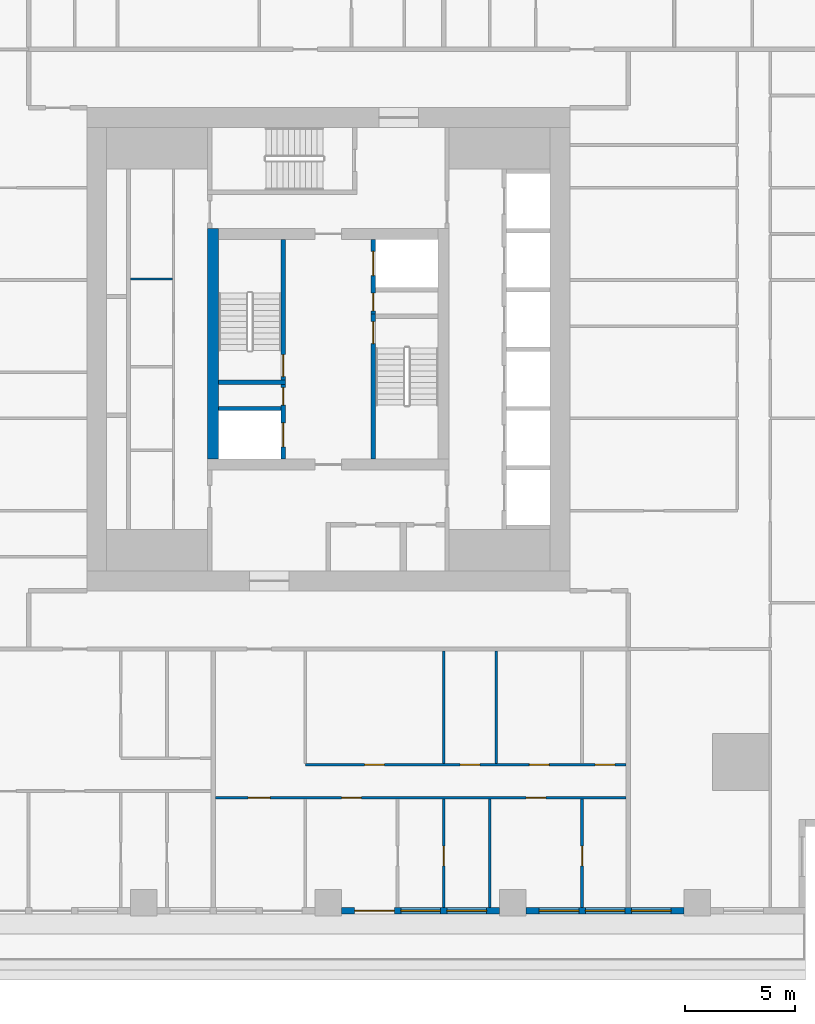
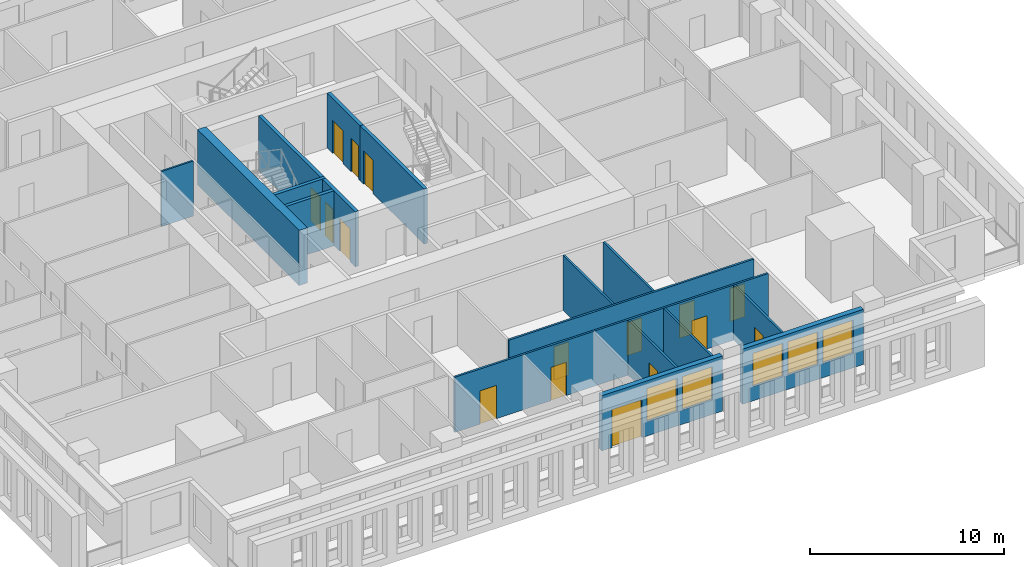
# One storey, part 4 of 15: 17 walls, 16 doors, 5 windows, 21 openings.
"""IFC4 building model written with IfcOpenShell, lengths in metres."""

from ifc_helpers import new_model, si_unit, direction, frame, frame_2d, origin, place, context, subcontext, project, spatial, rectangle, extrude, material, layer, layer_set, type_object, element, fill, save


model = new_model("IFC4")

# Units and contexts
model_context = context("Model", 3, precision=1e-05, world=origin(), true_north=direction((0.0, 1.0)))
body_context = subcontext(model_context, "Body", "Model", "MODEL_VIEW")
ifc_project = project(units=[si_unit("LENGTHUNIT", "METRE"), si_unit("AREAUNIT", "SQUARE_METRE"), si_unit("VOLUMEUNIT", "CUBIC_METRE"), si_unit("PLANEANGLEUNIT", "RADIAN"), si_unit("MASSUNIT", "GRAM", prefix="KILO")], contexts=[model_context])

# Site, building, storey
site_placement = place(None, origin())
site = spatial("IfcSite", under=ifc_project, at=site_placement, CompositionType="ELEMENT")
building_placement = place(site_placement, origin())
building = spatial("IfcBuilding", under=site, at=building_placement, Name="Khepri Terraces", CompositionType="ELEMENT")
storey_placement = place(building_placement, frame((0.0, 0.0, 161.10009765625)))
storey = spatial("IfcBuildingStorey", under=building, at=storey_placement, Name="L38", CompositionType="ELEMENT", Elevation=161.10009765625)

# Wall, opening, door
ifc_material_1 = material(Name="Concrete C60/75", Category="concrete")
ifc_layer_1 = layer(ifc_material_1, 0.199951171875, Name="Concrete C60/75", Category="concrete")
ifc_layer_set_1 = layer_set([ifc_layer_1], Name="Concrete C60/75")
wall_type_1 = type_object("IfcWallType", Name="Core wall 200 C60/75", PredefinedType="SHEAR", material=ifc_layer_set_1)
wall_1_placement = place(storey_placement, frame((2.050048828125, -5.0, 0.0), z_axis=(0.0, 0.0, 1.0), x_axis=(0.0, 1.0, 0.0)))
wall_1 = element("IfcWall", 1, at=wall_1_placement, inside=storey, type_object=wall_type_1, Name="Core wall ST01 L38", PredefinedType="SHEAR", context=body_context, shape_type="SweptSolid", body=[
    extrude(rectangle(XDim=6.60009765625, YDim=0.199951171875, at=frame_2d((3.300048828125, 0.0))), origin(), (0.0, 0.0, 1.0), 3.47998046875),
])
opening_1_placement = place(wall_1_placement, frame((5.25, 0.0, 0.0)))
opening_1 = element("IfcOpeningElement", 2, at=opening_1_placement, cuts=wall_1, Name="Opening L38-C10", PredefinedType="OPENING", context=body_context, shape_type="SweptSolid", body=[
    extrude(rectangle(XDim=1.0, YDim=2.10009765625, at=frame_2d((0.5, 1.050048828125))), frame((0.0, 0.10986328125, 0.0), z_axis=(0.0, -1.0, 0.0), x_axis=(1.0, 0.0, 0.0)), (0.0, 0.0, 1.0), 0.219970703125),
])
ifc_material_2 = material(Name="Painted steel", Category="steel")
door_type_1 = type_object("IfcDoorType", Name="DR-CORE-STAIR-1000", OperationType="NOTDEFINED", PredefinedType="DOOR", material=ifc_material_2)
door_1_placement = place(opening_1_placement, frame((1.0, 0.0, 0.0), z_axis=(0.0, 0.0, 1.0), x_axis=(-1.0, 0.0, 0.0)))
door_1 = element("IfcDoor", 3, at=door_1_placement, inside=storey, type_object=door_type_1, Name="Stair door L38-C10", OperationType="SINGLE_SWING_LEFT", OverallHeight=2.10009765625, OverallWidth=1.0, PredefinedType="DOOR", context=body_context, shape_type="SweptSolid", body=[
    extrude(rectangle(XDim=1.0, YDim=2.10009765625, at=frame_2d((0.5, 1.050048828125))), frame((0.0, 0.02490234375, 0.0), z_axis=(0.0, -1.0, 0.0), x_axis=(1.0, 0.0, 0.0)), (0.0, 0.0, 1.0), 0.050048828125),
])
fill(opening_1, door_1)

# Wall
wall_2_placement = place(storey_placement, frame((-5.0, -1.5, 0.0), z_axis=(0.0, 0.0, 1.0), x_axis=(1.0, 0.0, 0.0)))
element("IfcWall", 4, at=wall_2_placement, inside=storey, type_object=wall_type_1, Name="Core wall ST02 L38", PredefinedType="SHEAR", context=body_context, shape_type="SweptSolid", body=[
    extrude(rectangle(XDim=3.050048828125, YDim=0.199951171875, at=frame_2d((1.52490234375, 0.0))), origin(), (0.0, 0.0, 1.0), 3.47998046875),
])

# Wall, opening, door
wall_3_placement = place(storey_placement, frame((-2.050048828125, -1.39990234375, 0.0), z_axis=(0.0, 0.0, 1.0), x_axis=(0.0, 1.0, 0.0)))
wall_3 = element("IfcWall", 5, at=wall_3_placement, inside=storey, type_object=wall_type_1, Name="Core wall ST03 L38", PredefinedType="SHEAR", context=body_context, shape_type="SweptSolid", body=[
    extrude(rectangle(XDim=6.39990234375, YDim=0.199951171875, at=frame_2d((3.199951171875, 0.0))), origin(), (0.0, 0.0, 1.0), 3.47998046875),
])
opening_2_placement = place(wall_3_placement, frame((0.14990234375, 0.0, 0.0)))
opening_2 = element("IfcOpeningElement", 6, at=opening_2_placement, cuts=wall_3, Name="Opening L38-C09", PredefinedType="OPENING", context=body_context, shape_type="SweptSolid", body=[
    extrude(rectangle(XDim=1.0, YDim=2.10009765625, at=frame_2d((0.5, 1.050048828125))), frame((0.0, 0.10986328125, 0.0), z_axis=(0.0, -1.0, 0.0), x_axis=(1.0, 0.0, 0.0)), (0.0, 0.0, 1.0), 0.219970703125),
])
door_2_placement = place(opening_2_placement, origin())
door_2 = element("IfcDoor", 7, at=door_2_placement, inside=storey, type_object=door_type_1, Name="Stair door L38-C09", OperationType="SINGLE_SWING_LEFT", OverallHeight=2.10009765625, OverallWidth=1.0, PredefinedType="DOOR", context=body_context, shape_type="SweptSolid", body=[
    extrude(rectangle(XDim=1.0, YDim=2.10009765625, at=frame_2d((0.5, 1.050048828125))), frame((0.0, 0.02490234375, 0.0), z_axis=(0.0, -1.0, 0.0), x_axis=(1.0, 0.0, 0.0)), (0.0, 0.0, 1.0), 0.050048828125),
])
fill(opening_2, door_2)

# Wall, openings, doors
wall_4_placement = place(storey_placement, frame((-2.050048828125, -5.0, 0.0), z_axis=(0.0, 0.0, 1.0), x_axis=(0.0, 1.0, 0.0)))
wall_4 = element("IfcWall", 8, at=wall_4_placement, inside=storey, type_object=wall_type_1, Name="Core wall SH05 L38", PredefinedType="SHEAR", context=body_context, shape_type="SweptSolid", body=[
    extrude(rectangle(XDim=3.39990234375, YDim=0.199951171875, at=frame_2d((1.699951171875, 0.0))), origin(), (0.0, 0.0, 1.0), 3.47998046875),
])
opening_3_placement = place(wall_4_placement, frame((0.550048828125, 0.0, 0.0)))
opening_3 = element("IfcOpeningElement", 9, at=opening_3_placement, cuts=wall_4, Name="Opening L38-C08", PredefinedType="OPENING", context=body_context, shape_type="SweptSolid", body=[
    extrude(rectangle(XDim=1.10009765625, YDim=2.10009765625, at=frame_2d((0.550048828125, 1.050048828125))), frame((0.0, 0.10986328125, 0.0), z_axis=(0.0, -1.0, 0.0), x_axis=(1.0, 0.0, 0.0)), (0.0, 0.0, 1.0), 0.219970703125),
])
opening_4_placement = place(wall_4_placement, frame((2.449951171875, 0.0, 0.0)))
opening_4 = element("IfcOpeningElement", 10, at=opening_4_placement, cuts=wall_4, Name="Opening L38-C12", PredefinedType="OPENING", context=body_context, shape_type="SweptSolid", body=[
    extrude(rectangle(XDim=0.800048828125, YDim=2.10009765625, at=frame_2d((0.39990234375, 1.050048828125))), frame((0.0, 0.10986328125, 0.0), z_axis=(0.0, -1.0, 0.0), x_axis=(1.0, 0.0, 0.0)), (0.0, 0.0, 1.0), 0.219970703125),
])
ifc_material_3 = material(Name="Stainless steel 304", Category="steel")
door_type_2 = type_object("IfcDoorType", Name="DR-CORE-FF-LANDING-1100", OperationType="NOTDEFINED", PredefinedType="DOOR", material=ifc_material_3)
door_3_placement = place(opening_3_placement, origin())
door_3 = element("IfcDoor", 11, at=door_3_placement, inside=storey, type_object=door_type_2, Name="Firefighting lift landing door L38-C08", OperationType="SLIDING_TO_LEFT", OverallHeight=2.10009765625, OverallWidth=1.10009765625, PredefinedType="DOOR", context=body_context, shape_type="SweptSolid", body=[
    extrude(rectangle(XDim=1.10009765625, YDim=2.10009765625, at=frame_2d((0.550048828125, 1.050048828125))), frame((0.0, 0.02490234375, 0.0), z_axis=(0.0, -1.0, 0.0), x_axis=(1.0, 0.0, 0.0)), (0.0, 0.0, 1.0), 0.050048828125),
])
fill(opening_3, door_3)
door_type_3 = type_object("IfcDoorType", Name="DR-CORE-RISER-800", OperationType="NOTDEFINED", PredefinedType="DOOR", material=ifc_material_2)
door_4_placement = place(opening_4_placement, origin())
door_4 = element("IfcDoor", 12, at=door_4_placement, inside=storey, type_object=door_type_3, Name="Riser door L38-C12", OperationType="SINGLE_SWING_RIGHT", OverallHeight=2.10009765625, OverallWidth=0.800048828125, PredefinedType="DOOR", context=body_context, shape_type="SweptSolid", body=[
    extrude(rectangle(XDim=0.800048828125, YDim=2.10009765625, at=frame_2d((0.39990234375, 1.050048828125))), frame((0.0, 0.02490234375, 0.0), z_axis=(0.0, -1.0, 0.0), x_axis=(1.0, 0.0, 0.0)), (0.0, 0.0, 1.0), 0.050048828125),
])
fill(opening_4, door_4)

# Wall
wall_5_placement = place(storey_placement, frame((-5.0, -2.699951171875, 0.0), z_axis=(0.0, 0.0, 1.0), x_axis=(1.0, 0.0, 0.0)))
element("IfcWall", 13, at=wall_5_placement, inside=storey, type_object=wall_type_1, Name="Core wall SH07 L38", PredefinedType="SHEAR", context=body_context, shape_type="SweptSolid", body=[
    extrude(rectangle(XDim=2.85009765625, YDim=0.199951171875, at=frame_2d((1.425048828125, 0.0))), origin(), (0.0, 0.0, 1.0), 3.47998046875),
])

# Wall, openings, doors
wall_6_placement = place(storey_placement, frame((2.050048828125, 1.60009765625, 0.0), z_axis=(0.0, 0.0, 1.0), x_axis=(0.0, 1.0, 0.0)))
wall_6 = element("IfcWall", 14, at=wall_6_placement, inside=storey, type_object=wall_type_1, Name="Core wall SH10 L38", PredefinedType="SHEAR", context=body_context, shape_type="SweptSolid", body=[
    extrude(rectangle(XDim=3.39990234375, YDim=0.199951171875, at=frame_2d((1.699951171875, 0.0))), origin(), (0.0, 0.0, 1.0), 3.47998046875),
])
opening_5_placement = place(wall_6_placement, frame((1.75, 0.0, 0.0)))
opening_5 = element("IfcOpeningElement", 15, at=opening_5_placement, cuts=wall_6, Name="Opening L38-C07", PredefinedType="OPENING", context=body_context, shape_type="SweptSolid", body=[
    extrude(rectangle(XDim=1.10009765625, YDim=2.10009765625, at=frame_2d((0.550048828125, 1.050048828125))), frame((0.0, 0.10986328125, 0.0), z_axis=(0.0, -1.0, 0.0), x_axis=(1.0, 0.0, 0.0)), (0.0, 0.0, 1.0), 0.219970703125),
])
opening_6_placement = place(wall_6_placement, frame((0.14990234375, 0.0, 0.0)))
opening_6 = element("IfcOpeningElement", 16, at=opening_6_placement, cuts=wall_6, Name="Opening L38-C11", PredefinedType="OPENING", context=body_context, shape_type="SweptSolid", body=[
    extrude(rectangle(XDim=0.800048828125, YDim=2.10009765625, at=frame_2d((0.39990234375, 1.050048828125))), frame((0.0, 0.10986328125, 0.0), z_axis=(0.0, -1.0, 0.0), x_axis=(1.0, 0.0, 0.0)), (0.0, 0.0, 1.0), 0.219970703125),
])
door_5_placement = place(opening_5_placement, origin())
door_5 = element("IfcDoor", 17, at=door_5_placement, inside=storey, type_object=door_type_2, Name="Firefighting lift landing door L38-C07", OperationType="SLIDING_TO_LEFT", OverallHeight=2.10009765625, OverallWidth=1.10009765625, PredefinedType="DOOR", context=body_context, shape_type="SweptSolid", body=[
    extrude(rectangle(XDim=1.10009765625, YDim=2.10009765625, at=frame_2d((0.550048828125, 1.050048828125))), frame((0.0, 0.02490234375, 0.0), z_axis=(0.0, -1.0, 0.0), x_axis=(1.0, 0.0, 0.0)), (0.0, 0.0, 1.0), 0.050048828125),
])
fill(opening_5, door_5)
door_6_placement = place(opening_6_placement, frame((0.800048828125, 0.0, 0.0), z_axis=(0.0, 0.0, 1.0), x_axis=(-1.0, 0.0, 0.0)))
door_6 = element("IfcDoor", 18, at=door_6_placement, inside=storey, type_object=door_type_3, Name="Riser door L38-C11", OperationType="SINGLE_SWING_RIGHT", OverallHeight=2.10009765625, OverallWidth=0.800048828125, PredefinedType="DOOR", context=body_context, shape_type="SweptSolid", body=[
    extrude(rectangle(XDim=0.800048828125, YDim=2.10009765625, at=frame_2d((0.39990234375, 1.050048828125))), frame((0.0, 0.02490234375, 0.0), z_axis=(0.0, -1.0, 0.0), x_axis=(1.0, 0.0, 0.0)), (0.0, 0.0, 1.0), 0.050048828125),
])
fill(opening_6, door_6)

# Walls
ifc_layer_2 = layer(ifc_material_1, 0.5, Name="Concrete C60/75", Category="concrete")
ifc_layer_set_2 = layer_set([ifc_layer_2], Name="Concrete C60/75")
wall_type_2 = type_object("IfcWallType", Name="Core wall 500 C60/75", PredefinedType="SHEAR", material=ifc_layer_set_2)
wall_7_placement = place(storey_placement, frame((-5.25, -5.0, 0.0), z_axis=(0.0, 0.0, 1.0), x_axis=(0.0, 1.0, 0.0)))
element("IfcWall", 19, at=wall_7_placement, inside=storey, type_object=wall_type_2, Name="Core wall BX02 L38", PredefinedType="SHEAR", context=body_context, shape_type="SweptSolid", body=[
    extrude(rectangle(XDim=10.5, YDim=0.5, at=frame_2d((5.25, 0.0))), origin(), (0.0, 0.0, 1.0), 3.47998046875),
])
ifc_material_4 = material(Name="Fire-rated gypsum board partition")
ifc_layer_3 = layer(ifc_material_4, 0.10009765625, Name="Fire-rated gypsum board partition")
ifc_layer_set_3 = layer_set([ifc_layer_3], Name="Fire-rated gypsum board partition")
wall_type_3 = type_object("IfcWallType", Name="WL-CORE-PART-100", PredefinedType="PARTITIONING", material=ifc_layer_set_3)
wall_8_placement = place(storey_placement, frame((-9.0, 3.199951171875, 0.0), z_axis=(0.0, 0.0, 1.0), x_axis=(1.0, 0.0, 0.0)))
element("IfcWall", 20, at=wall_8_placement, inside=storey, type_object=wall_type_3, Name="Core partition PT10 L38", PredefinedType="PARTITIONING", context=body_context, shape_type="SweptSolid", body=[
    extrude(rectangle(XDim=1.89990234375, YDim=0.10009765625, at=frame_2d((0.949951171875, 0.0))), origin(), (0.0, 0.0, 1.0), 3.47998046875),
])

# Wall, openings, door, windows
ifc_material_5 = material(Name="Precast concrete C50/60 warm stone", Category="masonry")
ifc_layer_4 = layer(ifc_material_5, 0.300048828125, Name="Precast concrete C50/60 warm stone", Category="masonry")
ifc_layer_set_4 = layer_set([ifc_layer_4], Name="Precast concrete C50/60 warm stone")
wall_type_4 = type_object("IfcWallType", Name="WL-EXT-PRECAST-300", PredefinedType="STANDARD", material=ifc_layer_set_4)
wall_9_placement = place(storey_placement, frame((0.60009765625, -25.570068359375, 0.0), z_axis=(0.0, 0.0, 1.0), x_axis=(1.0, 0.0, 0.0)))
wall_9 = element("IfcWall", 21, at=wall_9_placement, inside=storey, type_object=wall_type_4, Name="External wall L38 S", PredefinedType="STANDARD", context=body_context, shape_type="SweptSolid", body=[
    extrude(rectangle(XDim=7.199951171875, YDim=0.300048828125, at=frame_2d((3.60009765625, 0.0))), origin(), (0.0, 0.0, 1.0), 3.47998046875),
])
opening_7_placement = place(wall_9_placement, frame((0.60009765625, 0.0, 0.0)))
opening_7 = element("IfcOpeningElement", 22, at=opening_7_placement, cuts=wall_9, Name="Opening ED-L38-22", PredefinedType="OPENING", context=body_context, shape_type="SweptSolid", body=[
    extrude(rectangle(XDim=1.800048828125, YDim=2.39990234375, at=frame_2d((0.89990234375, 1.199951171875))), frame((0.0, 0.16015625, 0.0), z_axis=(0.0, -1.0, 0.0), x_axis=(1.0, 0.0, 0.0)), (0.0, 0.0, 1.0), 0.320068359375),
])
opening_8_placement = place(wall_9_placement, frame((2.699951171875, 0.0, 0.89990234375)))
opening_8 = element("IfcOpeningElement", 23, at=opening_8_placement, cuts=wall_9, Name="Opening W1", PredefinedType="OPENING", context=body_context, shape_type="SweptSolid", body=[
    extrude(rectangle(XDim=1.800048828125, YDim=2.10009765625, at=frame_2d((0.89990234375, 1.050048828125))), frame((0.0, 0.16015625, 0.0), z_axis=(0.0, -1.0, 0.0), x_axis=(1.0, 0.0, 0.0)), (0.0, 0.0, 1.0), 0.320068359375),
])
opening_9_placement = place(wall_9_placement, frame((4.800048828125, 0.0, 0.89990234375)))
opening_9 = element("IfcOpeningElement", 24, at=opening_9_placement, cuts=wall_9, Name="Opening W1", PredefinedType="OPENING", context=body_context, shape_type="SweptSolid", body=[
    extrude(rectangle(XDim=1.800048828125, YDim=2.10009765625, at=frame_2d((0.89990234375, 1.050048828125))), frame((0.0, 0.16015625, 0.0), z_axis=(0.0, -1.0, 0.0), x_axis=(1.0, 0.0, 0.0)), (0.0, 0.0, 1.0), 0.320068359375),
])
ifc_material_6 = material(Name="Anodised aluminium bronze glazed door", Category="aluminium")
door_type_4 = type_object("IfcDoorType", Name="DR-BAL-SLIDE-1800x2400", OperationType="NOTDEFINED", PredefinedType="DOOR", material=ifc_material_6)
door_7_placement = place(opening_7_placement, origin())
door_7 = element("IfcDoor", 25, at=door_7_placement, inside=storey, type_object=door_type_4, Name="Balcony door L38 S", OperationType="SLIDING_TO_LEFT", OverallHeight=2.39990234375, OverallWidth=1.800048828125, PredefinedType="DOOR", context=body_context, shape_type="SweptSolid", body=[
    extrude(rectangle(XDim=1.800048828125, YDim=2.39990234375, at=frame_2d((0.89990234375, 1.199951171875))), frame((0.0, 0.02490234375, 0.0), z_axis=(0.0, -1.0, 0.0), x_axis=(1.0, 0.0, 0.0)), (0.0, 0.0, 1.0), 0.050048828125),
])
fill(opening_7, door_7)
ifc_material_7 = material(Name="Clear glass", Category="glass")
window_type = type_object("IfcWindowType", Name="WIN-RES-1800x2100", PartitioningType="SINGLE_PANEL", PredefinedType="WINDOW", material=ifc_material_7)
window_1_placement = place(opening_8_placement, origin())
window_1 = element("IfcWindow", 26, at=window_1_placement, inside=storey, type_object=window_type, Name="Window L38 S", OverallHeight=2.10009765625, OverallWidth=1.800048828125, PartitioningType="SINGLE_PANEL", PredefinedType="WINDOW", context=body_context, shape_type="SweptSolid", body=[
    extrude(rectangle(XDim=1.800048828125, YDim=2.10009765625, at=frame_2d((0.89990234375, 1.050048828125))), frame((0.0, 0.030029296875, 0.0), z_axis=(0.0, -1.0, 0.0), x_axis=(1.0, 0.0, 0.0)), (0.0, 0.0, 1.0), 0.06005859375),
])
fill(opening_8, window_1)
window_2_placement = place(opening_9_placement, origin())
window_2 = element("IfcWindow", 27, at=window_2_placement, inside=storey, type_object=window_type, Name="Window L38 S", OverallHeight=2.10009765625, OverallWidth=1.800048828125, PartitioningType="SINGLE_PANEL", PredefinedType="WINDOW", context=body_context, shape_type="SweptSolid", body=[
    extrude(rectangle(XDim=1.800048828125, YDim=2.10009765625, at=frame_2d((0.89990234375, 1.050048828125))), frame((0.0, 0.030029296875, 0.0), z_axis=(0.0, -1.0, 0.0), x_axis=(1.0, 0.0, 0.0)), (0.0, 0.0, 1.0), 0.06005859375),
])
fill(opening_9, window_2)

# Wall, openings, windows
wall_10_placement = place(storey_placement, frame((9.0, -25.570068359375, 0.0), z_axis=(0.0, 0.0, 1.0), x_axis=(1.0, 0.0, 0.0)))
wall_10 = element("IfcWall", 28, at=wall_10_placement, inside=storey, type_object=wall_type_4, Name="External wall L38 S", PredefinedType="STANDARD", context=body_context, shape_type="SweptSolid", body=[
    extrude(rectangle(XDim=7.199951171875, YDim=0.300048828125, at=frame_2d((3.60009765625, 0.0))), origin(), (0.0, 0.0, 1.0), 3.47998046875),
])
opening_10_placement = place(wall_10_placement, frame((0.60009765625, 0.0, 0.89990234375)))
opening_10 = element("IfcOpeningElement", 29, at=opening_10_placement, cuts=wall_10, Name="Opening W1", PredefinedType="OPENING", context=body_context, shape_type="SweptSolid", body=[
    extrude(rectangle(XDim=1.800048828125, YDim=2.10009765625, at=frame_2d((0.89990234375, 1.050048828125))), frame((0.0, 0.16015625, 0.0), z_axis=(0.0, -1.0, 0.0), x_axis=(1.0, 0.0, 0.0)), (0.0, 0.0, 1.0), 0.320068359375),
])
opening_11_placement = place(wall_10_placement, frame((2.699951171875, 0.0, 0.89990234375)))
opening_11 = element("IfcOpeningElement", 30, at=opening_11_placement, cuts=wall_10, Name="Opening W1", PredefinedType="OPENING", context=body_context, shape_type="SweptSolid", body=[
    extrude(rectangle(XDim=1.800048828125, YDim=2.10009765625, at=frame_2d((0.89990234375, 1.050048828125))), frame((0.0, 0.16015625, 0.0), z_axis=(0.0, -1.0, 0.0), x_axis=(1.0, 0.0, 0.0)), (0.0, 0.0, 1.0), 0.320068359375),
])
opening_12_placement = place(wall_10_placement, frame((4.800048828125, 0.0, 0.89990234375)))
opening_12 = element("IfcOpeningElement", 31, at=opening_12_placement, cuts=wall_10, Name="Opening W1", PredefinedType="OPENING", context=body_context, shape_type="SweptSolid", body=[
    extrude(rectangle(XDim=1.800048828125, YDim=2.10009765625, at=frame_2d((0.89990234375, 1.050048828125))), frame((0.0, 0.16015625, 0.0), z_axis=(0.0, -1.0, 0.0), x_axis=(1.0, 0.0, 0.0)), (0.0, 0.0, 1.0), 0.320068359375),
])
window_3_placement = place(opening_10_placement, origin())
window_3 = element("IfcWindow", 32, at=window_3_placement, inside=storey, type_object=window_type, Name="Window L38 S", OverallHeight=2.10009765625, OverallWidth=1.800048828125, PartitioningType="SINGLE_PANEL", PredefinedType="WINDOW", context=body_context, shape_type="SweptSolid", body=[
    extrude(rectangle(XDim=1.800048828125, YDim=2.10009765625, at=frame_2d((0.89990234375, 1.050048828125))), frame((0.0, 0.030029296875, 0.0), z_axis=(0.0, -1.0, 0.0), x_axis=(1.0, 0.0, 0.0)), (0.0, 0.0, 1.0), 0.06005859375),
])
fill(opening_10, window_3)
window_4_placement = place(opening_11_placement, origin())
window_4 = element("IfcWindow", 33, at=window_4_placement, inside=storey, type_object=window_type, Name="Window L38 S", OverallHeight=2.10009765625, OverallWidth=1.800048828125, PartitioningType="SINGLE_PANEL", PredefinedType="WINDOW", context=body_context, shape_type="SweptSolid", body=[
    extrude(rectangle(XDim=1.800048828125, YDim=2.10009765625, at=frame_2d((0.89990234375, 1.050048828125))), frame((0.0, 0.030029296875, 0.0), z_axis=(0.0, -1.0, 0.0), x_axis=(1.0, 0.0, 0.0)), (0.0, 0.0, 1.0), 0.06005859375),
])
fill(opening_11, window_4)
window_5_placement = place(opening_12_placement, origin())
window_5 = element("IfcWindow", 34, at=window_5_placement, inside=storey, type_object=window_type, Name="Window L38 S", OverallHeight=2.10009765625, OverallWidth=1.800048828125, PartitioningType="SINGLE_PANEL", PredefinedType="WINDOW", context=body_context, shape_type="SweptSolid", body=[
    extrude(rectangle(XDim=1.800048828125, YDim=2.10009765625, at=frame_2d((0.89990234375, 1.050048828125))), frame((0.0, 0.030029296875, 0.0), z_axis=(0.0, -1.0, 0.0), x_axis=(1.0, 0.0, 0.0)), (0.0, 0.0, 1.0), 0.06005859375),
])
fill(opening_12, window_5)

# Wall, opening, door
ifc_material_8 = material(Name="Gypsum plasterboard partition")
ifc_layer_5 = layer(ifc_material_8, 0.1201171875, Name="Gypsum plasterboard partition")
ifc_layer_set_5 = layer_set([ifc_layer_5], Name="Gypsum plasterboard partition")
wall_type_5 = type_object("IfcWallType", Name="WL-PART-120", PredefinedType="PARTITIONING", material=ifc_layer_set_5)
wall_11_placement = place(storey_placement, frame((5.25, -25.419921875, 0.0), z_axis=(0.0, 0.0, 1.0), x_axis=(0.0, 1.0, 0.0)))
wall_11 = element("IfcWall", 35, at=wall_11_placement, inside=storey, type_object=wall_type_5, Name="Partition P-007 L38", PredefinedType="PARTITIONING", context=body_context, shape_type="SweptSolid", body=[
    extrude(rectangle(XDim=4.93994140625, YDim=0.1201171875, at=frame_2d((2.469970703125, 0.0))), origin(), (0.0, 0.0, 1.0), 3.47998046875),
])
opening_13_placement = place(wall_11_placement, frame((1.89990234375, 0.0, 0.0)))
opening_13 = element("IfcOpeningElement", 36, at=opening_13_placement, cuts=wall_11, Name="Opening D4", PredefinedType="OPENING", context=body_context, shape_type="SweptSolid", body=[
    extrude(rectangle(XDim=0.89990234375, YDim=2.10009765625, at=frame_2d((0.449951171875, 1.050048828125))), frame((0.0, 0.070068359375, 0.0), z_axis=(0.0, -1.0, 0.0), x_axis=(1.0, 0.0, 0.0)), (0.0, 0.0, 1.0), 0.14013671875),
])
ifc_material_9 = material(Name="Timber door leaf, moisture resistant", Category="wood")
door_type_5 = type_object("IfcDoorType", Name="DR-WET-900", OperationType="NOTDEFINED", PredefinedType="DOOR", material=ifc_material_9)
door_8_placement = place(opening_13_placement, frame((0.89990234375, 0.0, 0.0), z_axis=(0.0, 0.0, 1.0), x_axis=(-1.0, 0.0, 0.0)))
door_8 = element("IfcDoor", 37, at=door_8_placement, inside=storey, type_object=door_type_5, Name="Door Bathroom", OperationType="SINGLE_SWING_RIGHT", OverallHeight=2.10009765625, OverallWidth=0.89990234375, PredefinedType="DOOR", context=body_context, shape_type="SweptSolid", body=[
    extrude(rectangle(XDim=0.89990234375, YDim=2.10009765625, at=frame_2d((0.449951171875, 1.050048828125))), frame((0.0, 0.02490234375, 0.0), z_axis=(0.0, -1.0, 0.0), x_axis=(1.0, 0.0, 0.0)), (0.0, 0.0, 1.0), 0.050048828125),
])
fill(opening_13, door_8)

# Wall
wall_12_placement = place(storey_placement, frame((7.35009765625, -25.419921875, 0.0), z_axis=(0.0, 0.0, 1.0), x_axis=(0.0, 1.0, 0.0)))
element("IfcWall", 38, at=wall_12_placement, inside=storey, type_object=wall_type_5, Name="Partition P-008 L38", PredefinedType="PARTITIONING", context=body_context, shape_type="SweptSolid", body=[
    extrude(rectangle(XDim=4.93994140625, YDim=0.1201171875, at=frame_2d((2.469970703125, 0.0))), origin(), (0.0, 0.0, 1.0), 3.47998046875),
])

# Wall, opening, door
wall_13_placement = place(storey_placement, frame((11.550048828125, -25.419921875, 0.0), z_axis=(0.0, 0.0, 1.0), x_axis=(0.0, 1.0, 0.0)))
wall_13 = element("IfcWall", 39, at=wall_13_placement, inside=storey, type_object=wall_type_5, Name="Partition P-009 L38", PredefinedType="PARTITIONING", context=body_context, shape_type="SweptSolid", body=[
    extrude(rectangle(XDim=4.93994140625, YDim=0.1201171875, at=frame_2d((2.469970703125, 0.0))), origin(), (0.0, 0.0, 1.0), 3.47998046875),
])
opening_14_placement = place(wall_13_placement, frame((1.89990234375, 0.0, 0.0)))
opening_14 = element("IfcOpeningElement", 40, at=opening_14_placement, cuts=wall_13, Name="Opening D4", PredefinedType="OPENING", context=body_context, shape_type="SweptSolid", body=[
    extrude(rectangle(XDim=0.89990234375, YDim=2.10009765625, at=frame_2d((0.449951171875, 1.050048828125))), frame((0.0, 0.070068359375, 0.0), z_axis=(0.0, -1.0, 0.0), x_axis=(1.0, 0.0, 0.0)), (0.0, 0.0, 1.0), 0.14013671875),
])
door_9_placement = place(opening_14_placement, frame((0.89990234375, 0.0, 0.0), z_axis=(0.0, 0.0, 1.0), x_axis=(-1.0, 0.0, 0.0)))
door_9 = element("IfcDoor", 41, at=door_9_placement, inside=storey, type_object=door_type_5, Name="Door Bathroom", OperationType="SINGLE_SWING_RIGHT", OverallHeight=2.10009765625, OverallWidth=0.89990234375, PredefinedType="DOOR", context=body_context, shape_type="SweptSolid", body=[
    extrude(rectangle(XDim=0.89990234375, YDim=2.10009765625, at=frame_2d((0.449951171875, 1.050048828125))), frame((0.0, 0.02490234375, 0.0), z_axis=(0.0, -1.0, 0.0), x_axis=(1.0, 0.0, 0.0)), (0.0, 0.0, 1.0), 0.050048828125),
])
fill(opening_14, door_9)

# Wall, openings, doors
wall_14_placement = place(storey_placement, frame((-5.14990234375, -20.419921875, 0.0), z_axis=(0.0, 0.0, 1.0), x_axis=(1.0, 0.0, 0.0)))
wall_14 = element("IfcWall", 42, at=wall_14_placement, inside=storey, type_object=wall_type_5, Name="Partition P-012 L38", PredefinedType="PARTITIONING", context=body_context, shape_type="SweptSolid", body=[
    extrude(rectangle(XDim=18.699951171875, YDim=0.1201171875, at=frame_2d((9.35009765625, 0.0))), origin(), (0.0, 0.0, 1.0), 3.47998046875),
])
opening_15_placement = place(wall_14_placement, frame((1.5, 0.0, 0.0)))
opening_15 = element("IfcOpeningElement", 43, at=opening_15_placement, cuts=wall_14, Name="Opening D2", PredefinedType="OPENING", context=body_context, shape_type="SweptSolid", body=[
    extrude(rectangle(XDim=1.0, YDim=2.10009765625, at=frame_2d((0.5, 1.050048828125))), frame((0.0, 0.070068359375, 0.0), z_axis=(0.0, -1.0, 0.0), x_axis=(1.0, 0.0, 0.0)), (0.0, 0.0, 1.0), 0.14013671875),
])
opening_16_placement = place(wall_14_placement, frame((5.75, 0.0, 0.0)))
opening_16 = element("IfcOpeningElement", 44, at=opening_16_placement, cuts=wall_14, Name="Opening D3", PredefinedType="OPENING", context=body_context, shape_type="SweptSolid", body=[
    extrude(rectangle(XDim=0.89990234375, YDim=2.10009765625, at=frame_2d((0.449951171875, 1.050048828125))), frame((0.0, 0.070068359375, 0.0), z_axis=(0.0, -1.0, 0.0), x_axis=(1.0, 0.0, 0.0)), (0.0, 0.0, 1.0), 0.14013671875),
])
opening_17_placement = place(wall_14_placement, frame((14.14990234375, 0.0, 0.0)))
opening_17 = element("IfcOpeningElement", 45, at=opening_17_placement, cuts=wall_14, Name="Opening D3", PredefinedType="OPENING", context=body_context, shape_type="SweptSolid", body=[
    extrude(rectangle(XDim=0.89990234375, YDim=2.10009765625, at=frame_2d((0.449951171875, 1.050048828125))), frame((0.0, 0.070068359375, 0.0), z_axis=(0.0, -1.0, 0.0), x_axis=(1.0, 0.0, 0.0)), (0.0, 0.0, 1.0), 0.14013671875),
])
ifc_material_10 = material(Name="Timber door leaf, living room door", Category="wood")
door_type_6 = type_object("IfcDoorType", Name="DR-INT-1000", OperationType="NOTDEFINED", PredefinedType="DOOR", material=ifc_material_10)
door_10_placement = place(opening_15_placement, frame((1.0, 0.0, 0.0), z_axis=(0.0, 0.0, 1.0), x_axis=(-1.0, 0.0, 0.0)))
door_10 = element("IfcDoor", 46, at=door_10_placement, inside=storey, type_object=door_type_6, Name="Door Living Room", OperationType="SINGLE_SWING_RIGHT", OverallHeight=2.10009765625, OverallWidth=1.0, PredefinedType="DOOR", context=body_context, shape_type="SweptSolid", body=[
    extrude(rectangle(XDim=1.0, YDim=2.10009765625, at=frame_2d((0.5, 1.050048828125))), frame((0.0, 0.02490234375, 0.0), z_axis=(0.0, -1.0, 0.0), x_axis=(1.0, 0.0, 0.0)), (0.0, 0.0, 1.0), 0.050048828125),
])
fill(opening_15, door_10)
ifc_material_11 = material(Name="Timber door leaf", Category="wood")
door_type_7 = type_object("IfcDoorType", Name="DR-INT-900", OperationType="NOTDEFINED", PredefinedType="DOOR", material=ifc_material_11)
door_11_placement = place(opening_16_placement, frame((0.89990234375, 0.0, 0.0), z_axis=(0.0, 0.0, 1.0), x_axis=(-1.0, 0.0, 0.0)))
door_11 = element("IfcDoor", 47, at=door_11_placement, inside=storey, type_object=door_type_7, Name="Door Master Bedroom", OperationType="SINGLE_SWING_RIGHT", OverallHeight=2.10009765625, OverallWidth=0.89990234375, PredefinedType="DOOR", context=body_context, shape_type="SweptSolid", body=[
    extrude(rectangle(XDim=0.89990234375, YDim=2.10009765625, at=frame_2d((0.449951171875, 1.050048828125))), frame((0.0, 0.02490234375, 0.0), z_axis=(0.0, -1.0, 0.0), x_axis=(1.0, 0.0, 0.0)), (0.0, 0.0, 1.0), 0.050048828125),
])
fill(opening_16, door_11)
door_12_placement = place(opening_17_placement, frame((0.89990234375, 0.0, 0.0), z_axis=(0.0, 0.0, 1.0), x_axis=(-1.0, 0.0, 0.0)))
door_12 = element("IfcDoor", 48, at=door_12_placement, inside=storey, type_object=door_type_7, Name="Door Bedroom", OperationType="SINGLE_SWING_LEFT", OverallHeight=2.10009765625, OverallWidth=0.89990234375, PredefinedType="DOOR", context=body_context, shape_type="SweptSolid", body=[
    extrude(rectangle(XDim=0.89990234375, YDim=2.10009765625, at=frame_2d((0.449951171875, 1.050048828125))), frame((0.0, 0.02490234375, 0.0), z_axis=(0.0, -1.0, 0.0), x_axis=(1.0, 0.0, 0.0)), (0.0, 0.0, 1.0), 0.050048828125),
])
fill(opening_17, door_12)

wall_15_placement = place(storey_placement, frame((-1.050048828125, -18.919921875, 0.0), z_axis=(0.0, 0.0, 1.0), x_axis=(1.0, 0.0, 0.0)))
wall_15 = element("IfcWall", 49, at=wall_15_placement, inside=storey, type_object=wall_type_5, Name="Partition P-015 L38", PredefinedType="PARTITIONING", context=body_context, shape_type="SweptSolid", body=[
    extrude(rectangle(XDim=14.60009765625, YDim=0.1201171875, at=frame_2d((7.300048828125, 0.0))), origin(), (0.0, 0.0, 1.0), 3.47998046875),
])
opening_18_placement = place(wall_15_placement, frame((2.699951171875, 0.0, 0.0)))
opening_18 = element("IfcOpeningElement", 50, at=opening_18_placement, cuts=wall_15, Name="Opening D3", PredefinedType="OPENING", context=body_context, shape_type="SweptSolid", body=[
    extrude(rectangle(XDim=0.89990234375, YDim=2.10009765625, at=frame_2d((0.449951171875, 1.050048828125))), frame((0.0, 0.070068359375, 0.0), z_axis=(0.0, -1.0, 0.0), x_axis=(1.0, 0.0, 0.0)), (0.0, 0.0, 1.0), 0.14013671875),
])
opening_19_placement = place(wall_15_placement, frame((7.050048828125, 0.0, 0.0)))
opening_19 = element("IfcOpeningElement", 51, at=opening_19_placement, cuts=wall_15, Name="Opening D4", PredefinedType="OPENING", context=body_context, shape_type="SweptSolid", body=[
    extrude(rectangle(XDim=0.89990234375, YDim=2.10009765625, at=frame_2d((0.449951171875, 1.050048828125))), frame((0.0, 0.070068359375, 0.0), z_axis=(0.0, -1.0, 0.0), x_axis=(1.0, 0.0, 0.0)), (0.0, 0.0, 1.0), 0.14013671875),
])
opening_20_placement = place(wall_15_placement, frame((10.199951171875, 0.0, 0.0)))
opening_20 = element("IfcOpeningElement", 52, at=opening_20_placement, cuts=wall_15, Name="Opening D4", PredefinedType="OPENING", context=body_context, shape_type="SweptSolid", body=[
    extrude(rectangle(XDim=0.89990234375, YDim=2.10009765625, at=frame_2d((0.449951171875, 1.050048828125))), frame((0.0, 0.070068359375, 0.0), z_axis=(0.0, -1.0, 0.0), x_axis=(1.0, 0.0, 0.0)), (0.0, 0.0, 1.0), 0.14013671875),
])
opening_21_placement = place(wall_15_placement, frame((13.199951171875, 0.0, 0.0)))
opening_21 = element("IfcOpeningElement", 53, at=opening_21_placement, cuts=wall_15, Name="Opening D3", PredefinedType="OPENING", context=body_context, shape_type="SweptSolid", body=[
    extrude(rectangle(XDim=0.89990234375, YDim=2.10009765625, at=frame_2d((0.449951171875, 1.050048828125))), frame((0.0, 0.070068359375, 0.0), z_axis=(0.0, -1.0, 0.0), x_axis=(1.0, 0.0, 0.0)), (0.0, 0.0, 1.0), 0.14013671875),
])
door_13_placement = place(opening_18_placement, origin())
door_13 = element("IfcDoor", 54, at=door_13_placement, inside=storey, type_object=door_type_7, Name="Door Kitchen", OperationType="SINGLE_SWING_LEFT", OverallHeight=2.10009765625, OverallWidth=0.89990234375, PredefinedType="DOOR", context=body_context, shape_type="SweptSolid", body=[
    extrude(rectangle(XDim=0.89990234375, YDim=2.10009765625, at=frame_2d((0.449951171875, 1.050048828125))), frame((0.0, 0.02490234375, 0.0), z_axis=(0.0, -1.0, 0.0), x_axis=(1.0, 0.0, 0.0)), (0.0, 0.0, 1.0), 0.050048828125),
])
fill(opening_18, door_13)
door_14_placement = place(opening_21_placement, origin())
door_14 = element("IfcDoor", 55, at=door_14_placement, inside=storey, type_object=door_type_7, Name="Door Utility Room", OperationType="SINGLE_SWING_RIGHT", OverallHeight=2.10009765625, OverallWidth=0.89990234375, PredefinedType="DOOR", context=body_context, shape_type="SweptSolid", body=[
    extrude(rectangle(XDim=0.89990234375, YDim=2.10009765625, at=frame_2d((0.449951171875, 1.050048828125))), frame((0.0, 0.02490234375, 0.0), z_axis=(0.0, -1.0, 0.0), x_axis=(1.0, 0.0, 0.0)), (0.0, 0.0, 1.0), 0.050048828125),
])
fill(opening_21, door_14)
door_15_placement = place(opening_19_placement, origin())
door_15 = element("IfcDoor", 56, at=door_15_placement, inside=storey, type_object=door_type_5, Name="Door Powder Room", OperationType="SINGLE_SWING_RIGHT", OverallHeight=2.10009765625, OverallWidth=0.89990234375, PredefinedType="DOOR", context=body_context, shape_type="SweptSolid", body=[
    extrude(rectangle(XDim=0.89990234375, YDim=2.10009765625, at=frame_2d((0.449951171875, 1.050048828125))), frame((0.0, 0.02490234375, 0.0), z_axis=(0.0, -1.0, 0.0), x_axis=(1.0, 0.0, 0.0)), (0.0, 0.0, 1.0), 0.050048828125),
])
fill(opening_19, door_15)
door_16_placement = place(opening_20_placement, origin())
door_16 = element("IfcDoor", 57, at=door_16_placement, inside=storey, type_object=door_type_5, Name="Door Guest Bathroom", OperationType="SINGLE_SWING_RIGHT", OverallHeight=2.10009765625, OverallWidth=0.89990234375, PredefinedType="DOOR", context=body_context, shape_type="SweptSolid", body=[
    extrude(rectangle(XDim=0.89990234375, YDim=2.10009765625, at=frame_2d((0.449951171875, 1.050048828125))), frame((0.0, 0.02490234375, 0.0), z_axis=(0.0, -1.0, 0.0), x_axis=(1.0, 0.0, 0.0)), (0.0, 0.0, 1.0), 0.050048828125),
])
fill(opening_20, door_16)

# Walls
for number, where, z_axis, x_axis, name in (
    (58, (5.25, -18.860107421875, 0.0), (0.0, 0.0, 1.0), (0.0, 1.0, 0.0), "Partition P-017 L38"),
    (59, (7.64990234375, -18.860107421875, 0.0), (0.0, 0.0, 1.0), (0.0, 1.0, 0.0), "Partition P-018 L38"),
):
    element("IfcWall", number, at=place(storey_placement, frame(where, z_axis=z_axis, x_axis=x_axis)), inside=storey, type_object=wall_type_5, Name=name, PredefinedType="PARTITIONING", context=body_context, shape_type="SweptSolid", body=[
        extrude(rectangle(XDim=5.110107421875, YDim=0.1201171875, at=frame_2d((2.55517578125, 0.0))), origin(), (0.0, 0.0, 1.0), 3.47998046875),
    ])

save(model, "model.ifc")
